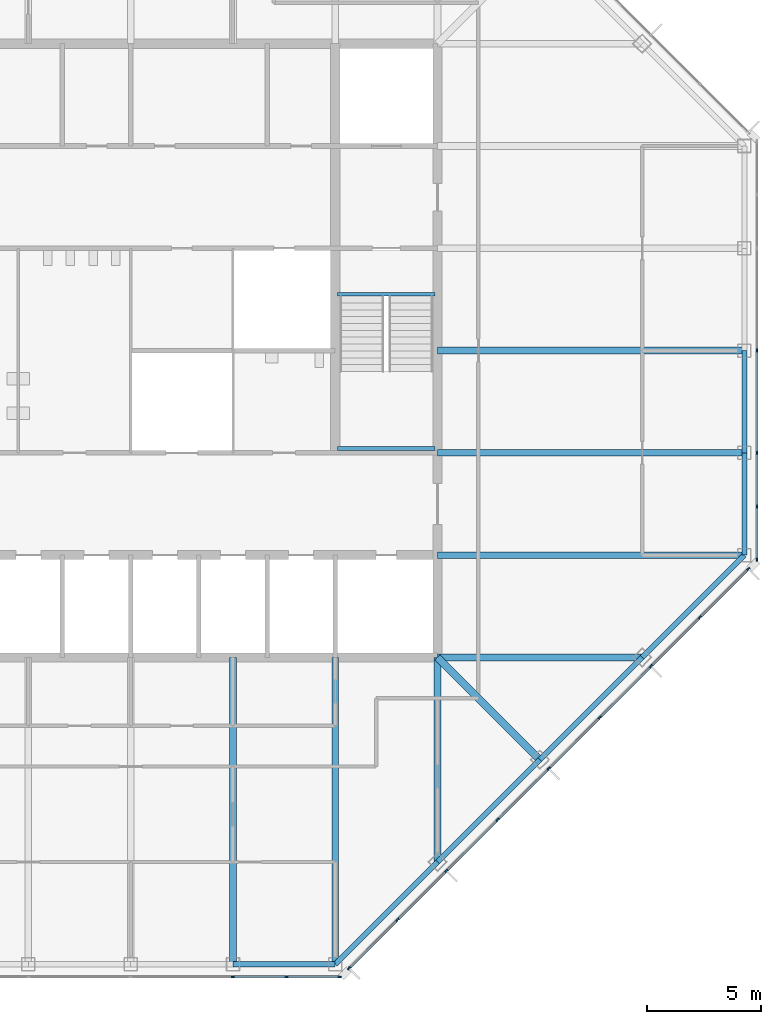
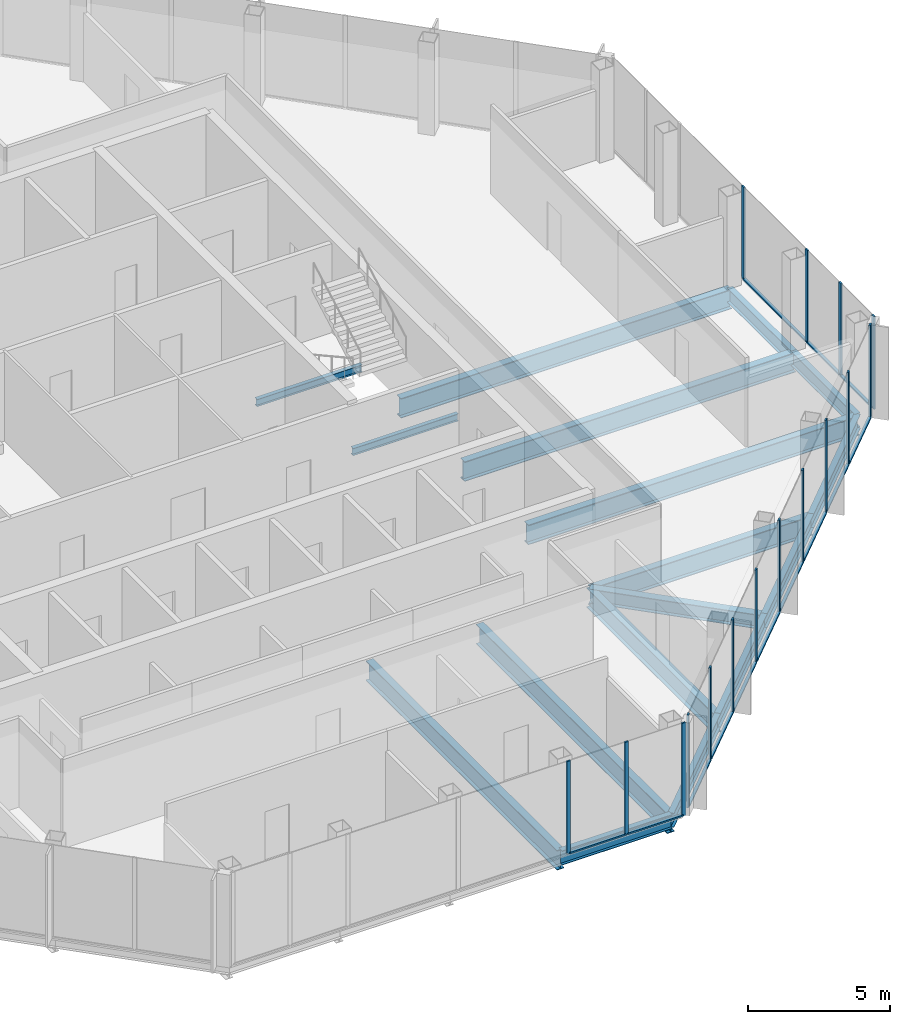
# One storey, part 4 of 14: 29 members, 17 beams, 3 elements without a shape of their own.
"""IFC4 building model written with IfcOpenShell, lengths in metres."""

from ifc_helpers import new_model, si_unit, direction, frame, origin, origin_2d, place, context, subcontext, project, spatial, rectangle, i_section, extrude, material, material_profile, profile_set, type_object, element, aggregate, save


model = new_model("IFC4")

# Units and contexts
model_context = context("Model", 3, precision=1e-05, world=origin(), true_north=direction((0.0, 1.0)))
body_context = subcontext(model_context, "Body", "Model", "MODEL_VIEW")
ifc_project = project(units=[si_unit("LENGTHUNIT", "METRE"), si_unit("AREAUNIT", "SQUARE_METRE"), si_unit("VOLUMEUNIT", "CUBIC_METRE"), si_unit("PLANEANGLEUNIT", "RADIAN"), si_unit("MASSUNIT", "GRAM", prefix="KILO")], contexts=[model_context])

# Site, building, storey
site_placement = place(None, origin())
site = spatial("IfcSite", under=ifc_project, at=site_placement, CompositionType="ELEMENT")
building_placement = place(site_placement, origin())
building = spatial("IfcBuilding", under=site, at=building_placement, Name="Corais Broadcast Tower", CompositionType="ELEMENT")
storey_placement = place(building_placement, frame((0.0, 0.0, 278.60009765625)))
storey = spatial("IfcBuildingStorey", under=building, at=storey_placement, Name="L65", CompositionType="ELEMENT", Elevation=278.60009765625)

# Beams
ifc_material_1 = material(Name="Steel ASTM A572 Grade 50", Category="steel")
ifc_material_profile_1 = material_profile(ifc_material_1, i_section(OverallWidth=0.323974609375, OverallDepth=0.611083984375, WebThickness=0.0126953125, FlangeThickness=0.01904296875, at=origin_2d()), Name="W610x155")
ifc_profile_set_1 = profile_set([ifc_material_profile_1], Name="Steel ASTM A572 Grade 50")
beam_type_1 = type_object("IfcBeamType", Name="Corner diagonal W610x155", PredefinedType="BEAM", material=ifc_profile_set_1)
beam_1_placement = place(storey_placement, frame((45.0, 9.0, -0.465576171875), z_axis=(-0.707106781187, 0.707106781187, 0.0), x_axis=(-0.707106781187, -0.707106781187, 0.0)))
element("IfcBeam", 1, at=beam_1_placement, inside=storey, type_object=beam_type_1, Name="B6 C/13 to D/12", PredefinedType="BEAM", context=body_context, shape_type="SweptSolid", body=[
    extrude(i_section(OverallWidth=0.323974609375, OverallDepth=0.611083984375, WebThickness=0.0126953125, FlangeThickness=0.01904296875, at=origin_2d()), origin(), (0.0, 0.0, 1.0), 6.364013671875),
])
ifc_material_2 = material(Name="Steel ASTM A572 Grade 50", Category="steel")
ifc_material_profile_2 = material_profile(ifc_material_2, i_section(OverallWidth=0.2939453125, OverallDepth=0.85107421875, WebThickness=0.01611328125, FlangeThickness=0.02685546875, at=origin_2d()), Name="W840x226")
ifc_profile_set_2 = profile_set([ifc_material_profile_2], Name="Steel ASTM A572 Grade 50")
beam_type_2 = type_object("IfcBeamType", Name="Floor beam W840x226", PredefinedType="BEAM", material=ifc_profile_set_2)
for number, where, z_axis, x_axis, name in (
    (2, (31.5, 0.0, -0.585693359375), (0.0, 1.0, 0.0), (-1.0, 0.0, 0.0), "B1 A/10 to D/10"),
    (3, (36.0, 0.0, -0.585693359375), (0.0, 1.0, 0.0), (-1.0, 0.0, 0.0), "B1 A/11 to D/11"),
):
    element("IfcBeam", number, at=place(storey_placement, frame(where, z_axis=z_axis, x_axis=x_axis)), inside=storey, type_object=beam_type_2, Name=name, PredefinedType="BEAM", context=body_context, shape_type="SweptSolid", body=[
        extrude(i_section(OverallWidth=0.2939453125, OverallDepth=0.85107421875, WebThickness=0.01611328125, FlangeThickness=0.02685546875, at=origin_2d()), origin(), (0.0, 0.0, 1.0), 13.5),
    ])
for number, where, z_axis, x_axis, name in (
    (4, (40.5, 4.5, -0.585693359375), (0.0, 1.0, 0.0), (-1.0, 0.0, 0.0), "B1 B/12 to D/12"),
    (5, (49.5, 13.5, -0.585693359375), (-1.0, 0.0, 0.0), (0.0, -1.0, 0.0), "B1 D/14 to D/12"),
):
    element("IfcBeam", number, at=place(storey_placement, frame(where, z_axis=z_axis, x_axis=x_axis)), inside=storey, type_object=beam_type_2, Name=name, PredefinedType="BEAM", context=body_context, shape_type="SweptSolid", body=[
        extrude(i_section(OverallWidth=0.2939453125, OverallDepth=0.85107421875, WebThickness=0.01611328125, FlangeThickness=0.02685546875, at=origin_2d()), origin(), (0.0, 0.0, 1.0), 9.0),
    ])
for number, where, z_axis, x_axis, name in (
    (6, (54.0, 18.0, -0.585693359375), (-1.0, 0.0, 0.0), (0.0, -1.0, 0.0), "B1 E/15 to E/12"),
    (7, (54.0, 22.5, -0.585693359375), (-1.0, 0.0, 0.0), (0.0, -1.0, 0.0), "B1 F/15 to F/12"),
    (8, (54.0, 27.0, -0.585693359375), (-1.0, 0.0, 0.0), (0.0, -1.0, 0.0), "B1 G/15 to G/12"),
):
    element("IfcBeam", number, at=place(storey_placement, frame(where, z_axis=z_axis, x_axis=x_axis)), inside=storey, type_object=beam_type_2, Name=name, PredefinedType="BEAM", context=body_context, shape_type="SweptSolid", body=[
        extrude(i_section(OverallWidth=0.2939453125, OverallDepth=0.85107421875, WebThickness=0.01611328125, FlangeThickness=0.02685546875, at=origin_2d()), origin(), (0.0, 0.0, 1.0), 13.5),
    ])
ifc_material_3 = material(Name="Steel ASTM A572 Grade 50", Category="steel")
ifc_material_profile_3 = material_profile(ifc_material_3, i_section(OverallWidth=0.1650390625, OverallDepth=0.31005859375, WebThickness=0.005859375, FlangeThickness=0.009765625, at=origin_2d()), Name="W310x38.7")
ifc_profile_set_3 = profile_set([ifc_material_profile_3], Name="Steel ASTM A572 Grade 50")
beam_type_3 = type_object("IfcBeamType", Name="Landing trimmer W310x38.7", PredefinedType="BEAM", material=ifc_profile_set_3)
for number, where, z_axis, x_axis, name in (
    (9, (36.10009765625, 29.47509765625, -0.35498046875), (1.0, 0.0, 0.0), (0.0, 1.0, 0.0), "LT1 stair B landing trimmer L65"),
    (10, (36.10009765625, 22.68994140625, 1.64501953125), (1.0, 0.0, 0.0), (0.0, 1.0, 0.0), "LT1 stair B half landing trimmer L65"),
):
    element("IfcBeam", number, at=place(storey_placement, frame(where, z_axis=z_axis, x_axis=x_axis)), inside=storey, type_object=beam_type_3, Name=name, PredefinedType="BEAM", context=body_context, shape_type="SweptSolid", body=[
        extrude(i_section(OverallWidth=0.1650390625, OverallDepth=0.31005859375, WebThickness=0.005859375, FlangeThickness=0.009765625, at=origin_2d()), origin(), (0.0, 0.0, 1.0), 4.2998046875),
    ])

# Curtain wall, members
ifc_material_4 = material(Name="Aluminium and glass", Category="aluminium")
curtain_wall_type = type_object("IfcCurtainWallType", Name="Unitised fritted curtain wall CW3", PredefinedType="NOTDEFINED", material=ifc_material_4)
curtain_wall_1_placement = place(storey_placement, origin())
curtain_wall_1 = element("IfcCurtainWall", 11, at=curtain_wall_1_placement, inside=storey, type_object=curtain_wall_type, Name="CW3 curtain wall L65 6", PredefinedType="NOTDEFINED")
ifc_material_5 = material(Name="Aluminium 6063-T6", Category="aluminium")
ifc_material_profile_4 = material_profile(ifc_material_5, rectangle(XDim=0.06494140625, YDim=0.159912109375, at=origin_2d()), Name="Mullion CW3 65x160")
ifc_profile_set_4 = profile_set([ifc_material_profile_4], Name="Aluminium 6063-T6")
member_type_1 = type_object("IfcMemberType", Name="Mullion CW3 65x160", PredefinedType="MULLION", material=ifc_profile_set_4)
member_1_placement = place(storey_placement, frame((54.550048828125, 27.0, 0.0), z_axis=(0.0, 0.0, 1.0), x_axis=(1.0, 0.0, 0.0)))
member_1 = element("IfcMember", 12, at=member_1_placement, type_object=member_type_1, Name="CW3 mullion 4", PredefinedType="MULLION", context=body_context, shape_type="SweptSolid", body=[
    extrude(rectangle(XDim=0.06494140625, YDim=0.159912109375, at=origin_2d()), origin(), (0.0, 0.0, 1.0), 4.0),
])
member_2_placement = place(storey_placement, frame((54.550048828125, 22.5, 0.0), z_axis=(0.0, 0.0, 1.0), x_axis=(1.0, 0.0, 0.0)))
member_2 = element("IfcMember", 13, at=member_2_placement, type_object=member_type_1, Name="CW3 mullion 5", PredefinedType="MULLION", context=body_context, shape_type="SweptSolid", body=[
    extrude(rectangle(XDim=0.06494140625, YDim=0.159912109375, at=origin_2d()), origin(), (0.0, 0.0, 1.0), 4.0),
])
member_3_placement = place(storey_placement, frame((54.550048828125, 20.135986328125, 0.0), z_axis=(0.0, 0.0, 1.0), x_axis=(1.0, 0.0, 0.0)))
member_3 = element("IfcMember", 14, at=member_3_placement, type_object=member_type_1, Name="CW3 mullion 6", PredefinedType="MULLION", context=body_context, shape_type="SweptSolid", body=[
    extrude(rectangle(XDim=0.06494140625, YDim=0.159912109375, at=origin_2d()), origin(), (0.0, 0.0, 1.0), 4.0),
])
member_4_placement = place(storey_placement, frame((54.550048828125, 17.8046875, 0.0), z_axis=(0.0, 0.0, 1.0), x_axis=(1.0, 0.0, 0.0)))
member_4 = element("IfcMember", 15, at=member_4_placement, type_object=member_type_1, Name="CW3 mullion 7", PredefinedType="MULLION", context=body_context, shape_type="SweptSolid", body=[
    extrude(rectangle(XDim=0.06494140625, YDim=0.159912109375, at=origin_2d()), origin(), (0.0, 0.0, 1.0), 4.0),
])

curtain_wall_2_placement = place(storey_placement, origin())
curtain_wall_2 = element("IfcCurtainWall", 16, at=curtain_wall_2_placement, inside=storey, type_object=curtain_wall_type, Name="CW3 curtain wall L65 7", PredefinedType="NOTDEFINED")
member_5_placement = place(storey_placement, frame((54.17333984375, 17.3955078125, 0.0), z_axis=(0.0, 0.0, 1.0), x_axis=(0.707106781187, -0.707106781187, 0.0)))
member_5 = element("IfcMember", 17, at=member_5_placement, type_object=member_type_1, Name="CW3 mullion 1", PredefinedType="MULLION", context=body_context, shape_type="SweptSolid", body=[
    extrude(rectangle(XDim=0.06494140625, YDim=0.159912109375, at=origin_2d()), origin(), (0.0, 0.0, 1.0), 4.0),
])
member_6_placement = place(storey_placement, frame((52.042724609375, 15.264892578125, 0.0), z_axis=(0.0, 0.0, 1.0), x_axis=(0.707106781187, -0.707106781187, 0.0)))
member_6 = element("IfcMember", 18, at=member_6_placement, type_object=member_type_1, Name="CW3 mullion 2", PredefinedType="MULLION", context=body_context, shape_type="SweptSolid", body=[
    extrude(rectangle(XDim=0.06494140625, YDim=0.159912109375, at=origin_2d()), origin(), (0.0, 0.0, 1.0), 4.0),
])
member_7_placement = place(storey_placement, frame((49.888916015625, 13.111083984375, 0.0), z_axis=(0.0, 0.0, 1.0), x_axis=(0.707106781187, -0.707106781187, 0.0)))
member_7 = element("IfcMember", 19, at=member_7_placement, type_object=member_type_1, Name="CW3 mullion 3", PredefinedType="MULLION", context=body_context, shape_type="SweptSolid", body=[
    extrude(rectangle(XDim=0.06494140625, YDim=0.159912109375, at=origin_2d()), origin(), (0.0, 0.0, 1.0), 4.0),
])
member_8_placement = place(storey_placement, frame((47.638916015625, 10.861083984375, 0.0), z_axis=(0.0, 0.0, 1.0), x_axis=(0.707106781187, -0.707106781187, 0.0)))
member_8 = element("IfcMember", 20, at=member_8_placement, type_object=member_type_1, Name="CW3 mullion 4", PredefinedType="MULLION", context=body_context, shape_type="SweptSolid", body=[
    extrude(rectangle(XDim=0.06494140625, YDim=0.159912109375, at=origin_2d()), origin(), (0.0, 0.0, 1.0), 4.0),
])
member_9_placement = place(storey_placement, frame((45.388916015625, 8.611083984375, 0.0), z_axis=(0.0, 0.0, 1.0), x_axis=(0.707106781187, -0.707106781187, 0.0)))
member_9 = element("IfcMember", 21, at=member_9_placement, type_object=member_type_1, Name="CW3 mullion 5", PredefinedType="MULLION", context=body_context, shape_type="SweptSolid", body=[
    extrude(rectangle(XDim=0.06494140625, YDim=0.159912109375, at=origin_2d()), origin(), (0.0, 0.0, 1.0), 4.0),
])
member_10_placement = place(storey_placement, frame((43.138916015625, 6.361083984375, 0.0), z_axis=(0.0, 0.0, 1.0), x_axis=(0.707106781187, -0.707106781187, 0.0)))
member_10 = element("IfcMember", 22, at=member_10_placement, type_object=member_type_1, Name="CW3 mullion 6", PredefinedType="MULLION", context=body_context, shape_type="SweptSolid", body=[
    extrude(rectangle(XDim=0.06494140625, YDim=0.159912109375, at=origin_2d()), origin(), (0.0, 0.0, 1.0), 4.0),
])
member_11_placement = place(storey_placement, frame((40.888916015625, 4.111083984375, 0.0), z_axis=(0.0, 0.0, 1.0), x_axis=(0.707106781187, -0.707106781187, 0.0)))
member_11 = element("IfcMember", 23, at=member_11_placement, type_object=member_type_1, Name="CW3 mullion 7", PredefinedType="MULLION", context=body_context, shape_type="SweptSolid", body=[
    extrude(rectangle(XDim=0.06494140625, YDim=0.159912109375, at=origin_2d()), origin(), (0.0, 0.0, 1.0), 4.0),
])
member_12_placement = place(storey_placement, frame((38.735107421875, 1.957275390625, 0.0), z_axis=(0.0, 0.0, 1.0), x_axis=(0.707106781187, -0.707106781187, 0.0)))
member_12 = element("IfcMember", 24, at=member_12_placement, type_object=member_type_1, Name="CW3 mullion 8", PredefinedType="MULLION", context=body_context, shape_type="SweptSolid", body=[
    extrude(rectangle(XDim=0.06494140625, YDim=0.159912109375, at=origin_2d()), origin(), (0.0, 0.0, 1.0), 4.0),
])
member_13_placement = place(storey_placement, frame((36.6044921875, -0.17333984375, 0.0), z_axis=(0.0, 0.0, 1.0), x_axis=(0.707106781187, -0.707106781187, 0.0)))
member_13 = element("IfcMember", 25, at=member_13_placement, type_object=member_type_1, Name="CW3 mullion 9", PredefinedType="MULLION", context=body_context, shape_type="SweptSolid", body=[
    extrude(rectangle(XDim=0.06494140625, YDim=0.159912109375, at=origin_2d()), origin(), (0.0, 0.0, 1.0), 4.0),
])

curtain_wall_3_placement = place(storey_placement, origin())
curtain_wall_3 = element("IfcCurtainWall", 26, at=curtain_wall_3_placement, inside=storey, type_object=curtain_wall_type, Name="CW3 curtain wall L65 8", PredefinedType="NOTDEFINED")
member_14_placement = place(storey_placement, frame((36.1953125, -0.550048828125, 0.0), z_axis=(0.0, 0.0, 1.0), x_axis=(0.0, -1.0, 0.0)))
member_14 = element("IfcMember", 27, at=member_14_placement, type_object=member_type_1, Name="CW3 mullion 1", PredefinedType="MULLION", context=body_context, shape_type="SweptSolid", body=[
    extrude(rectangle(XDim=0.06494140625, YDim=0.159912109375, at=origin_2d()), origin(), (0.0, 0.0, 1.0), 4.0),
])
member_15_placement = place(storey_placement, frame((33.864013671875, -0.550048828125, 0.0), z_axis=(0.0, 0.0, 1.0), x_axis=(0.0, -1.0, 0.0)))
member_15 = element("IfcMember", 28, at=member_15_placement, type_object=member_type_1, Name="CW3 mullion 2", PredefinedType="MULLION", context=body_context, shape_type="SweptSolid", body=[
    extrude(rectangle(XDim=0.06494140625, YDim=0.159912109375, at=origin_2d()), origin(), (0.0, 0.0, 1.0), 4.0),
])
member_16_placement = place(storey_placement, frame((31.5, -0.550048828125, 0.0), z_axis=(0.0, 0.0, 1.0), x_axis=(0.0, -1.0, 0.0)))
member_16 = element("IfcMember", 29, at=member_16_placement, type_object=member_type_1, Name="CW3 mullion 3", PredefinedType="MULLION", context=body_context, shape_type="SweptSolid", body=[
    extrude(rectangle(XDim=0.06494140625, YDim=0.159912109375, at=origin_2d()), origin(), (0.0, 0.0, 1.0), 4.0),
])

# Beams
ifc_material_6 = material(Name="Steel ASTM A572 Grade 50", Category="steel")
ifc_material_profile_5 = material_profile(ifc_material_6, i_section(OverallWidth=0.22998046875, OverallDepth=0.616943359375, WebThickness=0.01318359375, FlangeThickness=0.022216796875, at=origin_2d()), Name="W610x140")
ifc_profile_set_5 = profile_set([ifc_material_profile_5], Name="Steel ASTM A572 Grade 50")
beam_type_4 = type_object("IfcBeamType", Name="Spandrel W610x140", PredefinedType="BEAM", material=ifc_profile_set_5)
beam_2_placement = place(storey_placement, frame((31.5, 0.0, -0.468505859375), z_axis=(1.0, 0.0, 0.0), x_axis=(0.0, 1.0, 0.0)))
element("IfcBeam", 30, at=beam_2_placement, inside=storey, type_object=beam_type_4, Name="SB3 A/10 to A/11", PredefinedType="BEAM", context=body_context, shape_type="SweptSolid", body=[
    extrude(i_section(OverallWidth=0.22998046875, OverallDepth=0.616943359375, WebThickness=0.01318359375, FlangeThickness=0.022216796875, at=origin_2d()), origin(), (0.0, 0.0, 1.0), 4.5),
])
for number, where, z_axis, x_axis, name in (
    (31, (36.0, 0.0, -0.468505859375), (0.707106781187, 0.707106781187, 0.0), (-0.707106781187, 0.707106781187, 0.0), "SB3 A/11 to B/12"),
    (32, (40.5, 4.5, -0.468505859375), (0.707106781187, 0.707106781187, 0.0), (-0.707106781187, 0.707106781187, 0.0), "SB3 B/12 to C/13"),
    (33, (45.0, 9.0, -0.468505859375), (0.707106781187, 0.707106781187, 0.0), (-0.707106781187, 0.707106781187, 0.0), "SB3 C/13 to D/14"),
    (34, (49.5, 13.5, -0.468505859375), (0.707106781187, 0.707106781187, 0.0), (-0.707106781187, 0.707106781187, 0.0), "SB3 D/14 to E/15"),
):
    element("IfcBeam", number, at=place(storey_placement, frame(where, z_axis=z_axis, x_axis=x_axis)), inside=storey, type_object=beam_type_4, Name=name, PredefinedType="BEAM", context=body_context, shape_type="SweptSolid", body=[
        extrude(i_section(OverallWidth=0.22998046875, OverallDepth=0.616943359375, WebThickness=0.01318359375, FlangeThickness=0.022216796875, at=origin_2d()), origin(), (0.0, 0.0, 1.0), 6.364013671875),
    ])
for number, where, z_axis, x_axis, name in (
    (35, (54.0, 18.0, -0.468505859375), (0.0, 1.0, 0.0), (-1.0, 0.0, 0.0), "SB3 E/15 to F/15"),
    (36, (54.0, 22.5, -0.468505859375), (0.0, 1.0, 0.0), (-1.0, 0.0, 0.0), "SB3 F/15 to G/15"),
):
    element("IfcBeam", number, at=place(storey_placement, frame(where, z_axis=z_axis, x_axis=x_axis)), inside=storey, type_object=beam_type_4, Name=name, PredefinedType="BEAM", context=body_context, shape_type="SweptSolid", body=[
        extrude(i_section(OverallWidth=0.22998046875, OverallDepth=0.616943359375, WebThickness=0.01318359375, FlangeThickness=0.022216796875, at=origin_2d()), origin(), (0.0, 0.0, 1.0), 4.5),
    ])

# Member
ifc_material_7 = material(Name="Aluminium 6063-T6", Category="aluminium")
ifc_material_profile_6 = material_profile(ifc_material_7, rectangle(XDim=0.1201171875, YDim=0.06494140625, at=origin_2d()), Name="Transom CW3 65x120")
ifc_profile_set_6 = profile_set([ifc_material_profile_6], Name="Aluminium 6063-T6")
member_type_2 = type_object("IfcMemberType", Name="Transom CW3 65x120", PredefinedType="USERDEFINED", material=ifc_profile_set_6)
member_17_placement = place(storey_placement, frame((54.550048828125, 26.967529296875, 0.032470703125), z_axis=(0.0, -1.0, 0.0), x_axis=(1.0, 0.0, 0.0)))
member_17 = element("IfcMember", 37, at=member_17_placement, type_object=member_type_2, Name="CW3 transom 4.1", ObjectType="TRANSOM", PredefinedType="USERDEFINED", context=body_context, shape_type="SweptSolid", body=[
    extrude(rectangle(XDim=0.1201171875, YDim=0.06494140625, at=origin_2d()), origin(), (0.0, 0.0, 1.0), 4.43505859375),
])

member_18_placement = place(storey_placement, frame((54.550048828125, 22.467529296875, 0.032470703125), z_axis=(0.0, -1.0, 0.0), x_axis=(1.0, 0.0, 0.0)))
member_18 = element("IfcMember", 38, at=member_18_placement, type_object=member_type_2, Name="CW3 transom 5.1", ObjectType="TRANSOM", PredefinedType="USERDEFINED", context=body_context, shape_type="SweptSolid", body=[
    extrude(rectangle(XDim=0.1201171875, YDim=0.06494140625, at=origin_2d()), origin(), (0.0, 0.0, 1.0), 2.298828125),
])

member_19_placement = place(storey_placement, frame((54.550048828125, 20.103515625, 0.032470703125), z_axis=(0.0, -1.0, 0.0), x_axis=(1.0, 0.0, 0.0)))
member_19 = element("IfcMember", 39, at=member_19_placement, type_object=member_type_2, Name="CW3 transom 6.1", ObjectType="TRANSOM", PredefinedType="USERDEFINED", context=body_context, shape_type="SweptSolid", body=[
    extrude(rectangle(XDim=0.1201171875, YDim=0.06494140625, at=origin_2d()), origin(), (0.0, 0.0, 1.0), 2.266357421875),
])

aggregate(curtain_wall_1, [member_1, member_2, member_3, member_4, member_17, member_18, member_19])

member_20_placement = place(storey_placement, frame((54.150390625, 17.37255859375, 0.032470703125), z_axis=(-0.707106781187, -0.707106781187, 0.0), x_axis=(0.707106781187, -0.707106781187, 0.0)))
member_20 = element("IfcMember", 40, at=member_20_placement, type_object=member_type_2, Name="CW3 transom 1.1", ObjectType="TRANSOM", PredefinedType="USERDEFINED", context=body_context, shape_type="SweptSolid", body=[
    extrude(rectangle(XDim=0.1201171875, YDim=0.06494140625, at=origin_2d()), origin(), (0.0, 0.0, 1.0), 2.9482421875),
])

member_21_placement = place(storey_placement, frame((52.019775390625, 15.241943359375, 0.032470703125), z_axis=(-0.707106781187, -0.707106781187, 0.0), x_axis=(0.707106781187, -0.707106781187, 0.0)))
member_21 = element("IfcMember", 41, at=member_21_placement, type_object=member_type_2, Name="CW3 transom 2.1", ObjectType="TRANSOM", PredefinedType="USERDEFINED", context=body_context, shape_type="SweptSolid", body=[
    extrude(rectangle(XDim=0.1201171875, YDim=0.06494140625, at=origin_2d()), origin(), (0.0, 0.0, 1.0), 2.98095703125),
])

member_22_placement = place(storey_placement, frame((49.865966796875, 13.088134765625, 0.032470703125), z_axis=(-0.707106781187, -0.707106781187, 0.0), x_axis=(0.707106781187, -0.707106781187, 0.0)))
member_22 = element("IfcMember", 42, at=member_22_placement, type_object=member_type_2, Name="CW3 transom 3.1", ObjectType="TRANSOM", PredefinedType="USERDEFINED", context=body_context, shape_type="SweptSolid", body=[
    extrude(rectangle(XDim=0.1201171875, YDim=0.06494140625, at=origin_2d()), origin(), (0.0, 0.0, 1.0), 3.1171875),
])

member_23_placement = place(storey_placement, frame((47.615966796875, 10.838134765625, 0.032470703125), z_axis=(-0.707106781187, -0.707106781187, 0.0), x_axis=(0.707106781187, -0.707106781187, 0.0)))
member_23 = element("IfcMember", 43, at=member_23_placement, type_object=member_type_2, Name="CW3 transom 4.1", ObjectType="TRANSOM", PredefinedType="USERDEFINED", context=body_context, shape_type="SweptSolid", body=[
    extrude(rectangle(XDim=0.1201171875, YDim=0.06494140625, at=origin_2d()), origin(), (0.0, 0.0, 1.0), 3.1171875),
])

member_24_placement = place(storey_placement, frame((45.365966796875, 8.588134765625, 0.032470703125), z_axis=(-0.707106781187, -0.707106781187, 0.0), x_axis=(0.707106781187, -0.707106781187, 0.0)))
member_24 = element("IfcMember", 44, at=member_24_placement, type_object=member_type_2, Name="CW3 transom 5.1", ObjectType="TRANSOM", PredefinedType="USERDEFINED", context=body_context, shape_type="SweptSolid", body=[
    extrude(rectangle(XDim=0.1201171875, YDim=0.06494140625, at=origin_2d()), origin(), (0.0, 0.0, 1.0), 3.1171875),
])

member_25_placement = place(storey_placement, frame((43.115966796875, 6.338134765625, 0.032470703125), z_axis=(-0.707106781187, -0.707106781187, 0.0), x_axis=(0.707106781187, -0.707106781187, 0.0)))
member_25 = element("IfcMember", 45, at=member_25_placement, type_object=member_type_2, Name="CW3 transom 6.1", ObjectType="TRANSOM", PredefinedType="USERDEFINED", context=body_context, shape_type="SweptSolid", body=[
    extrude(rectangle(XDim=0.1201171875, YDim=0.06494140625, at=origin_2d()), origin(), (0.0, 0.0, 1.0), 3.1171875),
])

member_26_placement = place(storey_placement, frame((40.865966796875, 4.088134765625, 0.032470703125), z_axis=(-0.70714773134, -0.707065828661, 0.0), x_axis=(0.707065828661, -0.70714773134, 0.0)))
member_26 = element("IfcMember", 46, at=member_26_placement, type_object=member_type_2, Name="CW3 transom 7.1", ObjectType="TRANSOM", PredefinedType="USERDEFINED", context=body_context, shape_type="SweptSolid", body=[
    extrude(rectangle(XDim=0.1201171875, YDim=0.06494140625, at=origin_2d()), origin(), (0.0, 0.0, 1.0), 2.98095703125),
])

member_27_placement = place(storey_placement, frame((38.712158203125, 1.934326171875, 0.032470703125), z_axis=(-0.707106781187, -0.707106781187, 0.0), x_axis=(0.707106781187, -0.707106781187, 0.0)))
member_27 = element("IfcMember", 47, at=member_27_placement, type_object=member_type_2, Name="CW3 transom 8.1", ObjectType="TRANSOM", PredefinedType="USERDEFINED", context=body_context, shape_type="SweptSolid", body=[
    extrude(rectangle(XDim=0.1201171875, YDim=0.06494140625, at=origin_2d()), origin(), (0.0, 0.0, 1.0), 2.9482421875),
])

aggregate(curtain_wall_2, [member_5, member_6, member_7, member_8, member_9, member_10, member_11, member_12, member_13, member_20, member_21, member_22, member_23, member_24, member_25, member_26, member_27])

member_28_placement = place(storey_placement, frame((36.162841796875, -0.550048828125, 0.032470703125), z_axis=(-1.0, 0.0, 0.0), x_axis=(0.0, -1.0, 0.0)))
member_28 = element("IfcMember", 48, at=member_28_placement, type_object=member_type_2, Name="CW3 transom 1.1", ObjectType="TRANSOM", PredefinedType="USERDEFINED", context=body_context, shape_type="SweptSolid", body=[
    extrude(rectangle(XDim=0.1201171875, YDim=0.06494140625, at=origin_2d()), origin(), (0.0, 0.0, 1.0), 2.266357421875),
])

member_29_placement = place(storey_placement, frame((33.831298828125, -0.550048828125, 0.032470703125), z_axis=(-1.0, 0.0, 0.0), x_axis=(0.0, -1.0, 0.0)))
member_29 = element("IfcMember", 49, at=member_29_placement, type_object=member_type_2, Name="CW3 transom 2.1", ObjectType="TRANSOM", PredefinedType="USERDEFINED", context=body_context, shape_type="SweptSolid", body=[
    extrude(rectangle(XDim=0.1201171875, YDim=0.06494140625, at=origin_2d()), origin(), (0.0, 0.0, 1.0), 2.298828125),
])

aggregate(curtain_wall_3, [member_14, member_15, member_16, member_28, member_29])

save(model, "model.ifc")
